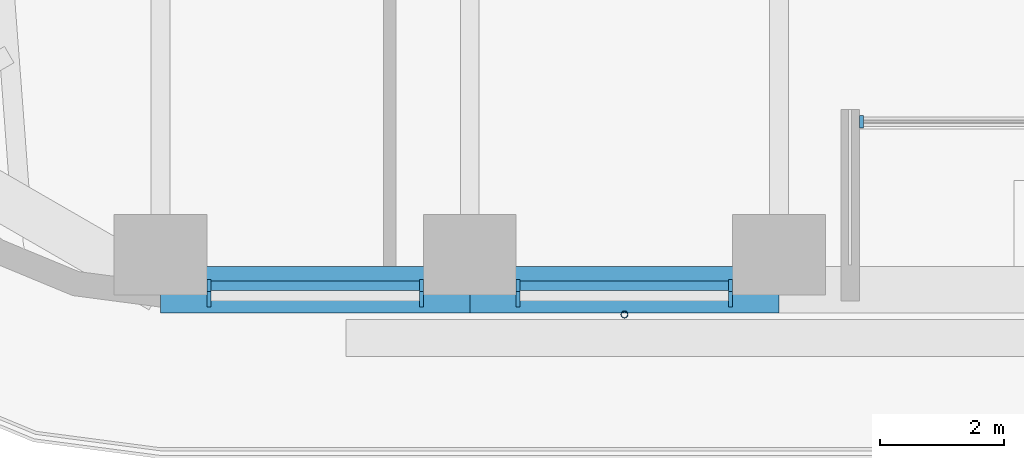
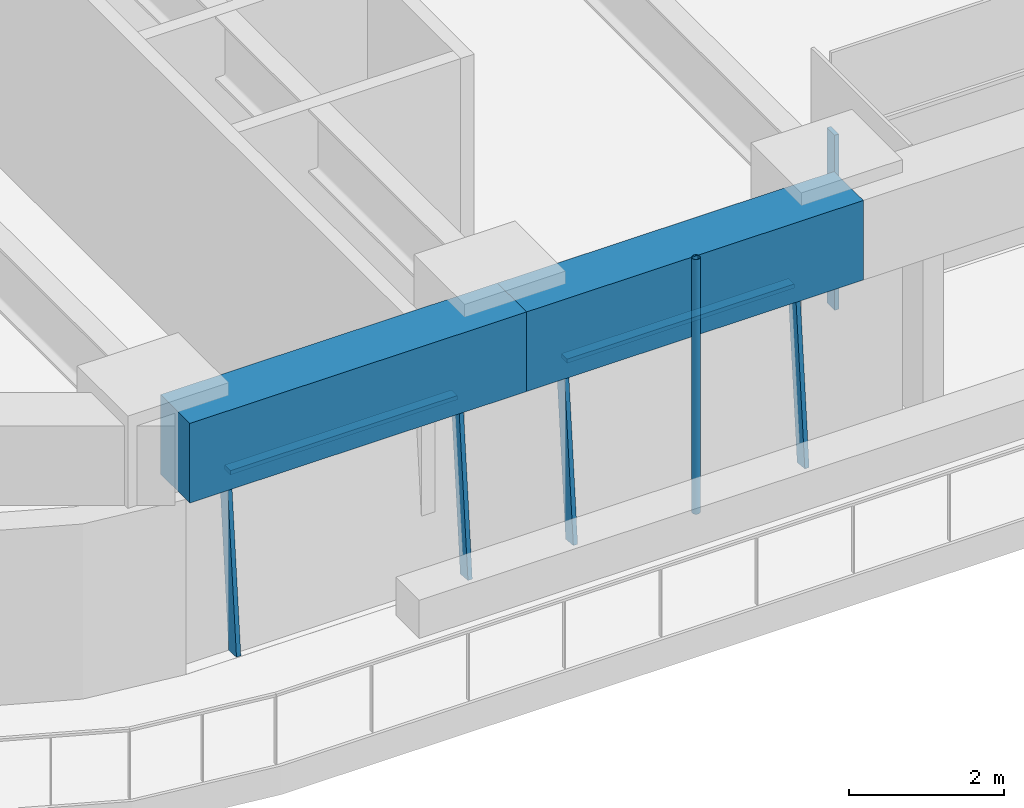
# One storey, part 2 of 24: 8 members, 2 beams, 3 elements without a shape of their own.
"""IFC4 building model written with IfcOpenShell, lengths in metres."""

from ifc_helpers import new_model, si_unit, direction, frame, origin, origin_2d, place, context, subcontext, project, spatial, rectangle, hollow_circle, extrude, material, material_profile, profile_set, type_object, element, aggregate, save


model = new_model("IFC4")

# Units and contexts
model_context = context("Model", 3, precision=1e-05, world=origin(), true_north=direction((0.0, 1.0)))
body_context = subcontext(model_context, "Body", "Model", "MODEL_VIEW")
ifc_project = project(units=[si_unit("LENGTHUNIT", "METRE"), si_unit("AREAUNIT", "SQUARE_METRE"), si_unit("VOLUMEUNIT", "CUBIC_METRE"), si_unit("PLANEANGLEUNIT", "RADIAN"), si_unit("MASSUNIT", "GRAM", prefix="KILO")], contexts=[model_context])

# Site, building, storey
site_placement = place(None, origin())
site = spatial("IfcSite", under=ifc_project, at=site_placement, CompositionType="ELEMENT")
building_placement = place(site_placement, origin())
building = spatial("IfcBuilding", under=site, at=building_placement, Name="Tarfa Lantern Tower", CompositionType="ELEMENT")
storey_placement = place(building_placement, frame((0.0, 0.0, 190.89990234375)))
storey = spatial("IfcBuildingStorey", under=building, at=storey_placement, Name="L43", CompositionType="ELEMENT", Elevation=190.89990234375)

# Curtain wall, members
ifc_material_1 = material(Name="Aluminium framed curtain wall", Category="aluminium")
curtain_wall_type_1 = type_object("IfcCurtainWallType", Name="CW2 CANTED GLAZING MID ZONE 2750", PredefinedType="USERDEFINED", material=ifc_material_1)
curtain_wall_1_placement = place(storey_placement, origin())
curtain_wall_1 = element("IfcCurtainWall", 1, at=curtain_wall_1_placement, inside=storey, type_object=curtain_wall_type_1, Name="CW2 S L43", ObjectType="CURTAIN WALL", PredefinedType="USERDEFINED")
ifc_material_2 = material(Name="Aluminium mullion", Category="aluminium")
ifc_material_profile_1 = material_profile(ifc_material_2, rectangle(XDim=0.06494140625, YDim=0.199951171875, at=origin_2d()), Name="AL MULLION 65x200")
ifc_profile_set_1 = profile_set([ifc_material_profile_1], Name="Aluminium mullion")
member_type_1 = type_object("IfcMemberType", Name="CWM1 MULLION 65x200", PredefinedType="MULLION", material=ifc_profile_set_1)
member_1_placement = place(storey_placement, frame((-14.228515625, -31.39990234375, 0.0), z_axis=(0.0, 0.090535746043, 0.995893206468), x_axis=(-1.0, 0.0, 0.0)))
member_1 = element("IfcMember", 2, at=member_1_placement, type_object=member_type_1, Name="CW2 mullion 1", PredefinedType="MULLION", context=body_context, shape_type="SweptSolid", body=[
    extrude(rectangle(XDim=0.06494140625, YDim=0.199951171875, at=origin_2d()), origin(), (0.0, 0.0, 1.0), 2.76123046875),
])
member_2_placement = place(storey_placement, frame((-10.789794921875, -31.39990234375, 0.0), z_axis=(0.0, 0.090535746043, 0.995893206468), x_axis=(-1.0, 0.0, 0.0)))
member_2 = element("IfcMember", 3, at=member_2_placement, type_object=member_type_1, Name="CW2 mullion 2", PredefinedType="MULLION", context=body_context, shape_type="SweptSolid", body=[
    extrude(rectangle(XDim=0.06494140625, YDim=0.199951171875, at=origin_2d()), origin(), (0.0, 0.0, 1.0), 2.76123046875),
])

curtain_wall_2_placement = place(storey_placement, origin())
curtain_wall_2 = element("IfcCurtainWall", 4, at=curtain_wall_2_placement, inside=storey, type_object=curtain_wall_type_1, Name="CW2 S L43", ObjectType="CURTAIN WALL", PredefinedType="USERDEFINED")
member_3_placement = place(storey_placement, frame((-9.224853515625, -31.39990234375, 0.0), z_axis=(0.0, 0.090535746043, 0.995893206468), x_axis=(-1.0, 0.0, 0.0)))
member_3 = element("IfcMember", 5, at=member_3_placement, type_object=member_type_1, Name="CW2 mullion 1", PredefinedType="MULLION", context=body_context, shape_type="SweptSolid", body=[
    extrude(rectangle(XDim=0.06494140625, YDim=0.199951171875, at=origin_2d()), origin(), (0.0, 0.0, 1.0), 2.76123046875),
])
member_4_placement = place(storey_placement, frame((-5.7861328125, -31.39990234375, 0.0), z_axis=(0.0, 0.090535746043, 0.995893206468), x_axis=(-1.0, 0.0, 0.0)))
member_4 = element("IfcMember", 6, at=member_4_placement, type_object=member_type_1, Name="CW2 mullion 2", PredefinedType="MULLION", context=body_context, shape_type="SweptSolid", body=[
    extrude(rectangle(XDim=0.06494140625, YDim=0.199951171875, at=origin_2d()), origin(), (0.0, 0.0, 1.0), 2.76123046875),
])

# Curtain wall, member
curtain_wall_type_2 = type_object("IfcCurtainWallType", Name="CW10 LOGGIA GLAZING 2750", PredefinedType="USERDEFINED", material=ifc_material_1)
curtain_wall_3_placement = place(storey_placement, origin())
curtain_wall_3 = element("IfcCurtainWall", 7, at=curtain_wall_3_placement, inside=storey, type_object=curtain_wall_type_2, Name="CW10 SL L43", ObjectType="CURTAIN WALL", PredefinedType="USERDEFINED")
member_5_placement = place(storey_placement, frame((-3.671142578125, -28.5, 0.0), z_axis=(0.0, 0.0, 1.0), x_axis=(1.0, 0.0, 0.0)))
member_5 = element("IfcMember", 8, at=member_5_placement, type_object=member_type_1, Name="CW10 mullion 1", PredefinedType="MULLION", context=body_context, shape_type="SweptSolid", body=[
    extrude(rectangle(XDim=0.06494140625, YDim=0.199951171875, at=origin_2d()), origin(), (0.0, 0.0, 1.0), 2.75),
])
aggregate(curtain_wall_3, [member_5])

# Member
ifc_material_3 = material(Name="Aluminium transom", Category="aluminium")
ifc_material_profile_2 = material_profile(ifc_material_3, rectangle(XDim=0.14990234375, YDim=0.06494140625, at=origin_2d()), Name="AL TRANSOM 150x65")
ifc_profile_set_2 = profile_set([ifc_material_profile_2], Name="Aluminium transom")
member_type_2 = type_object("IfcMemberType", Name="CWT1 TRANSOM 150x65", PredefinedType="USERDEFINED", material=ifc_profile_set_2)
member_6_placement = place(storey_placement, frame((-14.196044921875, -31.153076171875, 2.717529296875), z_axis=(1.0, 0.0, 0.0), x_axis=(0.0, 1.0, 0.0)))
member_6 = element("IfcMember", 9, at=member_6_placement, type_object=member_type_2, Name="CW2 transom 1.2", ObjectType="TRANSOM", PredefinedType="USERDEFINED", context=body_context, shape_type="SweptSolid", body=[
    extrude(rectangle(XDim=0.14990234375, YDim=0.06494140625, at=origin_2d()), origin(), (0.0, 0.0, 1.0), 3.37353515625),
])

aggregate(curtain_wall_1, [member_1, member_2, member_6])

member_7_placement = place(storey_placement, frame((-9.1923828125, -31.153076171875, 2.717529296875), z_axis=(1.0, 0.0, 0.0), x_axis=(0.0, 1.0, 0.0)))
member_7 = element("IfcMember", 10, at=member_7_placement, type_object=member_type_2, Name="CW2 transom 1.2", ObjectType="TRANSOM", PredefinedType="USERDEFINED", context=body_context, shape_type="SweptSolid", body=[
    extrude(rectangle(XDim=0.14990234375, YDim=0.06494140625, at=origin_2d()), origin(), (0.0, 0.0, 1.0), 3.373779296875),
])

aggregate(curtain_wall_2, [member_3, member_4, member_7])

# Beams
ifc_material_4 = material(Name="Concrete C80/95", Category="concrete")
ifc_material_profile_3 = material_profile(ifc_material_4, rectangle(XDim=0.75, YDim=1.25, at=origin_2d()), Name="RC 750x1250")
ifc_profile_set_3 = profile_set([ifc_material_profile_3], Name="Concrete C80/95")
beam_type = type_object("IfcBeamType", Name="EB2 RC 750x1250", PredefinedType="SPANDREL", material=ifc_profile_set_3)
for number, where, z_axis, x_axis, name in (
    (11, (-15.010986328125, -31.219970703125, 3.375), (1.0, 0.0, 0.0), (0.0, 1.0, 0.0), "Edge beam S0"),
    (12, (-10.00732421875, -31.219970703125, 3.375), (1.0, 0.0, 0.0), (0.0, 1.0, 0.0), "Edge beam S1"),
):
    element("IfcBeam", number, at=place(storey_placement, frame(where, z_axis=z_axis, x_axis=x_axis)), inside=storey, type_object=beam_type, Name=name, PredefinedType="SPANDREL", context=body_context, shape_type="SweptSolid", body=[
        extrude(rectangle(XDim=0.75, YDim=1.25, at=origin_2d()), origin(), (0.0, 0.0, 1.0), 5.003662109375),
    ])

# Member
ifc_material_5 = material(Name="Steel S355", Category="steel")
ifc_material_profile_4 = material_profile(ifc_material_5, hollow_circle(Radius=0.05712890625, WallThickness=0.00634765625, at=origin_2d()), Name="CHS114.3x6.3")
ifc_profile_set_4 = profile_set([ifc_material_profile_4], Name="Steel S355")
member_type_3 = type_object("IfcMemberType", Name="TR1 GREEN WALL TRELLIS CHS114.3x6.3", PredefinedType="USERDEFINED", material=ifc_profile_set_4)
member_8_placement = place(storey_placement, frame((-7.505615234375, -31.6201171875, 0.0), z_axis=(0.0, 0.0, 1.0), x_axis=(1.0, 0.0, 0.0)))
element("IfcMember", 13, at=member_8_placement, inside=storey, type_object=member_type_3, Name="Trellis post S 1", ObjectType="TRELLIS", PredefinedType="USERDEFINED", context=body_context, shape_type="SweptSolid", body=[
    extrude(hollow_circle(Radius=0.05712890625, WallThickness=0.00634765625, at=origin_2d()), origin(), (0.0, 0.0, 1.0), 4.0),
])

save(model, "model.ifc")
